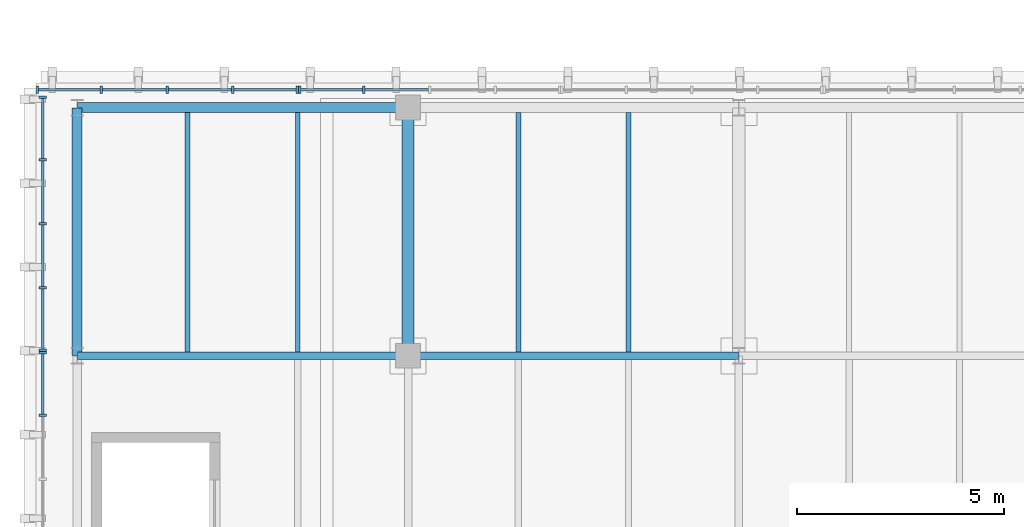
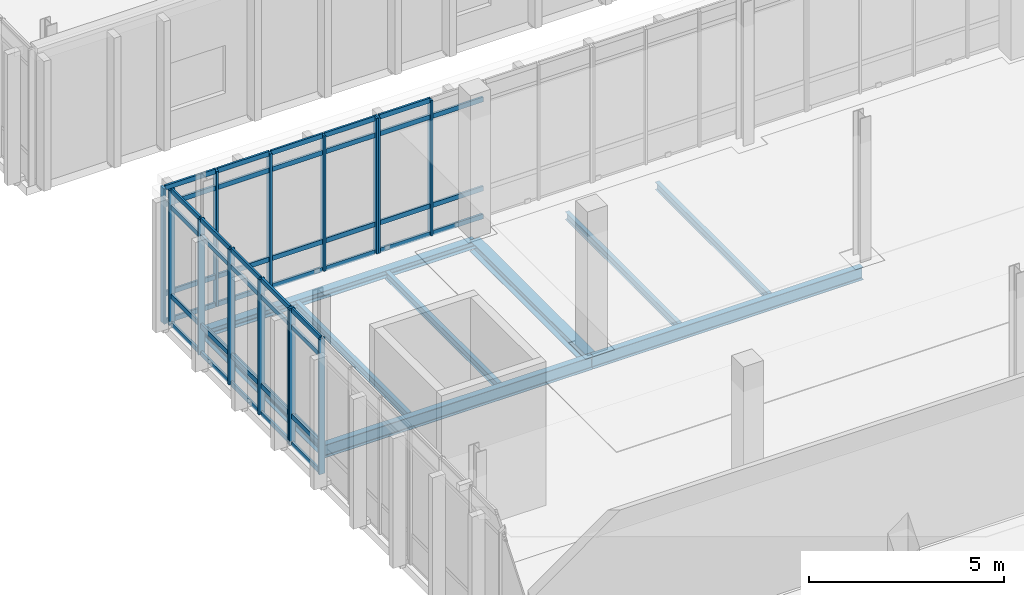
# One storey, part 15 of 62: 57 members, 9 beams, 4 elements without a shape of their own.
"""IFC4 building model written with IfcOpenShell, lengths in metres."""

from ifc_helpers import new_model, si_unit, direction, frame, origin, origin_2d, place, context, subcontext, project, spatial, rectangle, i_section, extrude, material, material_profile, profile_set, type_object, element, aggregate, save


model = new_model("IFC4")

# Units and contexts
model_context = context("Model", 3, precision=1e-05, world=origin(), true_north=direction((0.0, 1.0)))
body_context = subcontext(model_context, "Body", "Model", "MODEL_VIEW")
ifc_project = project(units=[si_unit("LENGTHUNIT", "METRE"), si_unit("AREAUNIT", "SQUARE_METRE"), si_unit("VOLUMEUNIT", "CUBIC_METRE"), si_unit("PLANEANGLEUNIT", "RADIAN"), si_unit("MASSUNIT", "GRAM", prefix="KILO")], contexts=[model_context])

# Site, building, storey
site_placement = place(None, origin())
site = spatial("IfcSite", under=ifc_project, at=site_placement, CompositionType="ELEMENT")
building_placement = place(site_placement, origin())
building = spatial("IfcBuilding", under=site, at=building_placement, Name="Cymarion Research Institute", CompositionType="ELEMENT")
storey_placement = place(building_placement, frame((0.0, 0.0, 18.300048828125)))
storey = spatial("IfcBuildingStorey", under=building, at=storey_placement, Name="L04", CompositionType="ELEMENT", Elevation=18.300048828125)

# Curtain wall, members
ifc_material_1 = material(Name="Anodised aluminium unitised curtain wall with Low-E glazing", Category="aluminium")
curtain_wall_type_1 = type_object("IfcCurtainWallType", Name="UNITISED CURTAIN WALL CW42 6350X4240", PredefinedType="NOTDEFINED", material=ifc_material_1)
curtain_wall_1_placement = place(storey_placement, origin())
curtain_wall_1 = element("IfcCurtainWall", 1, at=curtain_wall_1_placement, inside=storey, type_object=curtain_wall_type_1, Name="L04 V4 unitised curtain wall CW42 #186", PredefinedType="NOTDEFINED")
ifc_material_2 = material(Name="Anodised aluminium framing", Category="aluminium")
ifc_material_profile_1 = material_profile(ifc_material_2, rectangle(XDim=0.06005859375, YDim=0.179931640625, at=origin_2d()), Name="ALU MULLION 60x180")
ifc_profile_set_1 = profile_set([ifc_material_profile_1], Name="Anodised aluminium framing")
member_type_1 = type_object("IfcMemberType", Name="CURTAIN WALL MULLION ML01 60X180", PredefinedType="MULLION", material=ifc_profile_set_1)
member_1_placement = place(storey_placement, frame((13.53271484375, 77.929931640625, 0.0), z_axis=(0.0, 0.0, 1.0), x_axis=(-1.0, 0.0, 0.0)))
member_1 = element("IfcMember", 2, at=member_1_placement, type_object=member_type_1, Name="CW42 mullion 4", PredefinedType="MULLION", context=body_context, shape_type="SweptSolid", body=[
    extrude(rectangle(XDim=0.06005859375, YDim=0.179931640625, at=origin_2d()), origin(), (0.0, 0.0, 1.0), 4.239990234375),
])
member_2_placement = place(storey_placement, frame((11.976318359375, 77.929931640625, 0.0), z_axis=(0.0, 0.0, 1.0), x_axis=(-1.0, 0.0, 0.0)))
member_2 = element("IfcMember", 3, at=member_2_placement, type_object=member_type_1, Name="CW42 mullion 5", PredefinedType="MULLION", context=body_context, shape_type="SweptSolid", body=[
    extrude(rectangle(XDim=0.06005859375, YDim=0.179931640625, at=origin_2d()), origin(), (0.0, 0.0, 1.0), 4.239990234375),
])

curtain_wall_2_placement = place(storey_placement, origin())
curtain_wall_2 = element("IfcCurtainWall", 4, at=curtain_wall_2_placement, inside=storey, type_object=curtain_wall_type_1, Name="L04 V4 unitised curtain wall CW42 #187", PredefinedType="NOTDEFINED")
member_3_placement = place(storey_placement, frame((11.916259765625, 77.929931640625, 0.0), z_axis=(0.0, 0.0, 1.0), x_axis=(-1.0, 0.0, 0.0)))
member_3 = element("IfcMember", 5, at=member_3_placement, type_object=member_type_1, Name="CW42 mullion 1", PredefinedType="MULLION", context=body_context, shape_type="SweptSolid", body=[
    extrude(rectangle(XDim=0.06005859375, YDim=0.179931640625, at=origin_2d()), origin(), (0.0, 0.0, 1.0), 4.239990234375),
])
member_4_placement = place(storey_placement, frame((10.359619140625, 77.929931640625, 0.0), z_axis=(0.0, 0.0, 1.0), x_axis=(-1.0, 0.0, 0.0)))
member_4 = element("IfcMember", 6, at=member_4_placement, type_object=member_type_1, Name="CW42 mullion 2", PredefinedType="MULLION", context=body_context, shape_type="SweptSolid", body=[
    extrude(rectangle(XDim=0.06005859375, YDim=0.179931640625, at=origin_2d()), origin(), (0.0, 0.0, 1.0), 4.239990234375),
])
member_5_placement = place(storey_placement, frame((8.773193359375, 77.929931640625, 0.0), z_axis=(0.0, 0.0, 1.0), x_axis=(-1.0, 0.0, 0.0)))
member_5 = element("IfcMember", 7, at=member_5_placement, type_object=member_type_1, Name="CW42 mullion 3", PredefinedType="MULLION", context=body_context, shape_type="SweptSolid", body=[
    extrude(rectangle(XDim=0.06005859375, YDim=0.179931640625, at=origin_2d()), origin(), (0.0, 0.0, 1.0), 4.239990234375),
])
member_6_placement = place(storey_placement, frame((7.1865234375, 77.929931640625, 0.0), z_axis=(0.0, 0.0, 1.0), x_axis=(-1.0, 0.0, 0.0)))
member_6 = element("IfcMember", 8, at=member_6_placement, type_object=member_type_1, Name="CW42 mullion 4", PredefinedType="MULLION", context=body_context, shape_type="SweptSolid", body=[
    extrude(rectangle(XDim=0.06005859375, YDim=0.179931640625, at=origin_2d()), origin(), (0.0, 0.0, 1.0), 4.239990234375),
])
member_7_placement = place(storey_placement, frame((5.6298828125, 77.929931640625, 0.0), z_axis=(0.0, 0.0, 1.0), x_axis=(-1.0, 0.0, 0.0)))
member_7 = element("IfcMember", 9, at=member_7_placement, type_object=member_type_1, Name="CW42 mullion 5", PredefinedType="MULLION", context=body_context, shape_type="SweptSolid", body=[
    extrude(rectangle(XDim=0.06005859375, YDim=0.179931640625, at=origin_2d()), origin(), (0.0, 0.0, 1.0), 4.239990234375),
])

curtain_wall_type_2 = type_object("IfcCurtainWallType", Name="UNITISED CURTAIN WALL CW43 6180X4240", PredefinedType="NOTDEFINED", material=ifc_material_1)
curtain_wall_3_placement = place(storey_placement, origin())
curtain_wall_3 = element("IfcCurtainWall", 10, at=curtain_wall_3_placement, inside=storey, type_object=curtain_wall_type_2, Name="L04 V4 unitised curtain wall CW43 #188", PredefinedType="NOTDEFINED")
member_8_placement = place(storey_placement, frame((5.77001953125, 77.748046875, 0.0), z_axis=(0.0, 0.0, 1.0), x_axis=(0.0, -1.0, 0.0)))
member_8 = element("IfcMember", 11, at=member_8_placement, type_object=member_type_1, Name="CW43 mullion 1", PredefinedType="MULLION", context=body_context, shape_type="SweptSolid", body=[
    extrude(rectangle(XDim=0.06005859375, YDim=0.179931640625, at=origin_2d()), origin(), (0.0, 0.0, 1.0), 4.239990234375),
])
member_9_placement = place(storey_placement, frame((5.77001953125, 76.234130859375, 0.0), z_axis=(0.0, 0.0, 1.0), x_axis=(0.0, -1.0, 0.0)))
member_9 = element("IfcMember", 12, at=member_9_placement, type_object=member_type_1, Name="CW43 mullion 2", PredefinedType="MULLION", context=body_context, shape_type="SweptSolid", body=[
    extrude(rectangle(XDim=0.06005859375, YDim=0.179931640625, at=origin_2d()), origin(), (0.0, 0.0, 1.0), 4.239990234375),
])
member_10_placement = place(storey_placement, frame((5.77001953125, 74.690185546875, 0.0), z_axis=(0.0, 0.0, 1.0), x_axis=(0.0, -1.0, 0.0)))
member_10 = element("IfcMember", 13, at=member_10_placement, type_object=member_type_1, Name="CW43 mullion 3", PredefinedType="MULLION", context=body_context, shape_type="SweptSolid", body=[
    extrude(rectangle(XDim=0.06005859375, YDim=0.179931640625, at=origin_2d()), origin(), (0.0, 0.0, 1.0), 4.239990234375),
])
member_11_placement = place(storey_placement, frame((5.77001953125, 73.146240234375, 0.0), z_axis=(0.0, 0.0, 1.0), x_axis=(0.0, -1.0, 0.0)))
member_11 = element("IfcMember", 14, at=member_11_placement, type_object=member_type_1, Name="CW43 mullion 4", PredefinedType="MULLION", context=body_context, shape_type="SweptSolid", body=[
    extrude(rectangle(XDim=0.06005859375, YDim=0.179931640625, at=origin_2d()), origin(), (0.0, 0.0, 1.0), 4.239990234375),
])
member_12_placement = place(storey_placement, frame((5.77001953125, 71.63232421875, 0.0), z_axis=(0.0, 0.0, 1.0), x_axis=(0.0, -1.0, 0.0)))
member_12 = element("IfcMember", 15, at=member_12_placement, type_object=member_type_1, Name="CW43 mullion 5", PredefinedType="MULLION", context=body_context, shape_type="SweptSolid", body=[
    extrude(rectangle(XDim=0.06005859375, YDim=0.179931640625, at=origin_2d()), origin(), (0.0, 0.0, 1.0), 4.239990234375),
])

curtain_wall_4_placement = place(storey_placement, origin())
curtain_wall_4 = element("IfcCurtainWall", 16, at=curtain_wall_4_placement, inside=storey, type_object=curtain_wall_type_2, Name="L04 V4 unitised curtain wall CW43 #189", PredefinedType="NOTDEFINED")
member_13_placement = place(storey_placement, frame((5.77001953125, 71.572509765625, 0.0), z_axis=(0.0, 0.0, 1.0), x_axis=(0.0, -1.0, 0.0)))
member_13 = element("IfcMember", 17, at=member_13_placement, type_object=member_type_1, Name="CW43 mullion 1", PredefinedType="MULLION", context=body_context, shape_type="SweptSolid", body=[
    extrude(rectangle(XDim=0.06005859375, YDim=0.179931640625, at=origin_2d()), origin(), (0.0, 0.0, 1.0), 4.239990234375),
])
member_14_placement = place(storey_placement, frame((5.77001953125, 70.05859375, 0.0), z_axis=(0.0, 0.0, 1.0), x_axis=(0.0, -1.0, 0.0)))
member_14 = element("IfcMember", 18, at=member_14_placement, type_object=member_type_1, Name="CW43 mullion 2", PredefinedType="MULLION", context=body_context, shape_type="SweptSolid", body=[
    extrude(rectangle(XDim=0.06005859375, YDim=0.179931640625, at=origin_2d()), origin(), (0.0, 0.0, 1.0), 4.239990234375),
])

# Member
ifc_material_profile_2 = material_profile(ifc_material_2, rectangle(XDim=0.06005859375, YDim=0.14990234375, at=origin_2d()), Name="ALU TRANSOM 60x150")
ifc_profile_set_2 = profile_set([ifc_material_profile_2], Name="Anodised aluminium framing")
member_type_2 = type_object("IfcMemberType", Name="CURTAIN WALL TRANSOM TR01 60X150", PredefinedType="USERDEFINED", material=ifc_profile_set_2)
member_15_placement = place(storey_placement, frame((15.08935546875, 77.929931640625, 0.030029296875), z_axis=(-1.0, 0.0, 0.0), x_axis=(0.0, -1.0, 0.0)))
member_15 = element("IfcMember", 19, at=member_15_placement, type_object=member_type_2, Name="CW42 transom 3.1", ObjectType="TRANSOM", PredefinedType="USERDEFINED", context=body_context, shape_type="SweptSolid", body=[
    extrude(rectangle(XDim=0.06005859375, YDim=0.14990234375, at=origin_2d()), origin(), (0.0, 0.0, 1.0), 1.526611328125),
])

member_16_placement = place(storey_placement, frame((15.08935546875, 77.929931640625, 0.89990234375), z_axis=(-1.0, 0.0, 0.0), x_axis=(0.0, -1.0, 0.0)))
member_16 = element("IfcMember", 20, at=member_16_placement, type_object=member_type_2, Name="CW42 transom 3.2", ObjectType="TRANSOM", PredefinedType="USERDEFINED", context=body_context, shape_type="SweptSolid", body=[
    extrude(rectangle(XDim=0.06005859375, YDim=0.14990234375, at=origin_2d()), origin(), (0.0, 0.0, 1.0), 1.526611328125),
])

member_17_placement = place(storey_placement, frame((15.08935546875, 77.929931640625, 3.68994140625), z_axis=(-1.0, 0.0, 0.0), x_axis=(0.0, -1.0, 0.0)))
member_17 = element("IfcMember", 21, at=member_17_placement, type_object=member_type_2, Name="CW42 transom 3.3", ObjectType="TRANSOM", PredefinedType="USERDEFINED", context=body_context, shape_type="SweptSolid", body=[
    extrude(rectangle(XDim=0.06005859375, YDim=0.14990234375, at=origin_2d()), origin(), (0.0, 0.0, 1.0), 1.526611328125),
])

member_18_placement = place(storey_placement, frame((13.502685546875, 77.929931640625, 0.030029296875), z_axis=(-1.0, 0.0, 0.0), x_axis=(0.0, -1.0, 0.0)))
member_18 = element("IfcMember", 22, at=member_18_placement, type_object=member_type_2, Name="CW42 transom 4.1", ObjectType="TRANSOM", PredefinedType="USERDEFINED", context=body_context, shape_type="SweptSolid", body=[
    extrude(rectangle(XDim=0.06005859375, YDim=0.14990234375, at=origin_2d()), origin(), (0.0, 0.0, 1.0), 1.49658203125),
])

member_19_placement = place(storey_placement, frame((13.502685546875, 77.929931640625, 0.89990234375), z_axis=(-1.0, 0.0, 0.0), x_axis=(0.0, -1.0, 0.0)))
member_19 = element("IfcMember", 23, at=member_19_placement, type_object=member_type_2, Name="CW42 transom 4.2", ObjectType="TRANSOM", PredefinedType="USERDEFINED", context=body_context, shape_type="SweptSolid", body=[
    extrude(rectangle(XDim=0.06005859375, YDim=0.14990234375, at=origin_2d()), origin(), (0.0, 0.0, 1.0), 1.49658203125),
])

member_20_placement = place(storey_placement, frame((13.502685546875, 77.929931640625, 3.68994140625), z_axis=(-1.0, 0.0, 0.0), x_axis=(0.0, -1.0, 0.0)))
member_20 = element("IfcMember", 24, at=member_20_placement, type_object=member_type_2, Name="CW42 transom 4.3", ObjectType="TRANSOM", PredefinedType="USERDEFINED", context=body_context, shape_type="SweptSolid", body=[
    extrude(rectangle(XDim=0.06005859375, YDim=0.14990234375, at=origin_2d()), origin(), (0.0, 0.0, 1.0), 1.49658203125),
])

member_21_placement = place(storey_placement, frame((13.502685546875, 77.929931640625, 4.2099609375), z_axis=(-1.0, 0.0, 0.0), x_axis=(0.0, -1.0, 0.0)))
member_21 = element("IfcMember", 25, at=member_21_placement, type_object=member_type_2, Name="CW42 transom 4.4", ObjectType="TRANSOM", PredefinedType="USERDEFINED", context=body_context, shape_type="SweptSolid", body=[
    extrude(rectangle(XDim=0.06005859375, YDim=0.14990234375, at=origin_2d()), origin(), (0.0, 0.0, 1.0), 1.49658203125),
])

aggregate(curtain_wall_1, [member_1, member_2, member_15, member_16, member_17, member_18, member_19, member_20, member_21])

member_22_placement = place(storey_placement, frame((11.88623046875, 77.929931640625, 0.030029296875), z_axis=(-1.0, 0.0, 0.0), x_axis=(0.0, -1.0, 0.0)))
member_22 = element("IfcMember", 26, at=member_22_placement, type_object=member_type_2, Name="CW42 transom 1.1", ObjectType="TRANSOM", PredefinedType="USERDEFINED", context=body_context, shape_type="SweptSolid", body=[
    extrude(rectangle(XDim=0.06005859375, YDim=0.14990234375, at=origin_2d()), origin(), (0.0, 0.0, 1.0), 1.49658203125),
])

member_23_placement = place(storey_placement, frame((11.88623046875, 77.929931640625, 0.89990234375), z_axis=(-1.0, 0.0, 0.0), x_axis=(0.0, -1.0, 0.0)))
member_23 = element("IfcMember", 27, at=member_23_placement, type_object=member_type_2, Name="CW42 transom 1.2", ObjectType="TRANSOM", PredefinedType="USERDEFINED", context=body_context, shape_type="SweptSolid", body=[
    extrude(rectangle(XDim=0.06005859375, YDim=0.14990234375, at=origin_2d()), origin(), (0.0, 0.0, 1.0), 1.49658203125),
])

member_24_placement = place(storey_placement, frame((11.88623046875, 77.929931640625, 3.68994140625), z_axis=(-1.0, 0.0, 0.0), x_axis=(0.0, -1.0, 0.0)))
member_24 = element("IfcMember", 28, at=member_24_placement, type_object=member_type_2, Name="CW42 transom 1.3", ObjectType="TRANSOM", PredefinedType="USERDEFINED", context=body_context, shape_type="SweptSolid", body=[
    extrude(rectangle(XDim=0.06005859375, YDim=0.14990234375, at=origin_2d()), origin(), (0.0, 0.0, 1.0), 1.49658203125),
])

member_25_placement = place(storey_placement, frame((11.88623046875, 77.929931640625, 4.2099609375), z_axis=(-1.0, 0.0, 0.0), x_axis=(0.0, -1.0, 0.0)))
member_25 = element("IfcMember", 29, at=member_25_placement, type_object=member_type_2, Name="CW42 transom 1.4", ObjectType="TRANSOM", PredefinedType="USERDEFINED", context=body_context, shape_type="SweptSolid", body=[
    extrude(rectangle(XDim=0.06005859375, YDim=0.14990234375, at=origin_2d()), origin(), (0.0, 0.0, 1.0), 1.49658203125),
])

member_26_placement = place(storey_placement, frame((10.32958984375, 77.929931640625, 0.030029296875), z_axis=(-1.0, 0.0, 0.0), x_axis=(0.0, -1.0, 0.0)))
member_26 = element("IfcMember", 30, at=member_26_placement, type_object=member_type_2, Name="CW42 transom 2.1", ObjectType="TRANSOM", PredefinedType="USERDEFINED", context=body_context, shape_type="SweptSolid", body=[
    extrude(rectangle(XDim=0.06005859375, YDim=0.14990234375, at=origin_2d()), origin(), (0.0, 0.0, 1.0), 1.526611328125),
])

member_27_placement = place(storey_placement, frame((10.32958984375, 77.929931640625, 0.89990234375), z_axis=(-1.0, 0.0, 0.0), x_axis=(0.0, -1.0, 0.0)))
member_27 = element("IfcMember", 31, at=member_27_placement, type_object=member_type_2, Name="CW42 transom 2.2", ObjectType="TRANSOM", PredefinedType="USERDEFINED", context=body_context, shape_type="SweptSolid", body=[
    extrude(rectangle(XDim=0.06005859375, YDim=0.14990234375, at=origin_2d()), origin(), (0.0, 0.0, 1.0), 1.526611328125),
])

member_28_placement = place(storey_placement, frame((10.32958984375, 77.929931640625, 3.68994140625), z_axis=(-1.0, 0.0, 0.0), x_axis=(0.0, -1.0, 0.0)))
member_28 = element("IfcMember", 32, at=member_28_placement, type_object=member_type_2, Name="CW42 transom 2.3", ObjectType="TRANSOM", PredefinedType="USERDEFINED", context=body_context, shape_type="SweptSolid", body=[
    extrude(rectangle(XDim=0.06005859375, YDim=0.14990234375, at=origin_2d()), origin(), (0.0, 0.0, 1.0), 1.526611328125),
])

member_29_placement = place(storey_placement, frame((10.32958984375, 77.929931640625, 4.2099609375), z_axis=(-1.0, 0.0, 0.0), x_axis=(0.0, -1.0, 0.0)))
member_29 = element("IfcMember", 33, at=member_29_placement, type_object=member_type_2, Name="CW42 transom 2.4", ObjectType="TRANSOM", PredefinedType="USERDEFINED", context=body_context, shape_type="SweptSolid", body=[
    extrude(rectangle(XDim=0.06005859375, YDim=0.14990234375, at=origin_2d()), origin(), (0.0, 0.0, 1.0), 1.526611328125),
])

member_30_placement = place(storey_placement, frame((8.7431640625, 77.929931640625, 0.030029296875), z_axis=(-1.0, 0.0, 0.0), x_axis=(0.0, -1.0, 0.0)))
member_30 = element("IfcMember", 34, at=member_30_placement, type_object=member_type_2, Name="CW42 transom 3.1", ObjectType="TRANSOM", PredefinedType="USERDEFINED", context=body_context, shape_type="SweptSolid", body=[
    extrude(rectangle(XDim=0.06005859375, YDim=0.14990234375, at=origin_2d()), origin(), (0.0, 0.0, 1.0), 1.526611328125),
])

member_31_placement = place(storey_placement, frame((8.7431640625, 77.929931640625, 0.89990234375), z_axis=(-1.0, 0.0, 0.0), x_axis=(0.0, -1.0, 0.0)))
member_31 = element("IfcMember", 35, at=member_31_placement, type_object=member_type_2, Name="CW42 transom 3.2", ObjectType="TRANSOM", PredefinedType="USERDEFINED", context=body_context, shape_type="SweptSolid", body=[
    extrude(rectangle(XDim=0.06005859375, YDim=0.14990234375, at=origin_2d()), origin(), (0.0, 0.0, 1.0), 1.526611328125),
])

member_32_placement = place(storey_placement, frame((8.7431640625, 77.929931640625, 3.68994140625), z_axis=(-1.0, 0.0, 0.0), x_axis=(0.0, -1.0, 0.0)))
member_32 = element("IfcMember", 36, at=member_32_placement, type_object=member_type_2, Name="CW42 transom 3.3", ObjectType="TRANSOM", PredefinedType="USERDEFINED", context=body_context, shape_type="SweptSolid", body=[
    extrude(rectangle(XDim=0.06005859375, YDim=0.14990234375, at=origin_2d()), origin(), (0.0, 0.0, 1.0), 1.526611328125),
])

member_33_placement = place(storey_placement, frame((8.7431640625, 77.929931640625, 4.2099609375), z_axis=(-1.0, 0.0, 0.0), x_axis=(0.0, -1.0, 0.0)))
member_33 = element("IfcMember", 37, at=member_33_placement, type_object=member_type_2, Name="CW42 transom 3.4", ObjectType="TRANSOM", PredefinedType="USERDEFINED", context=body_context, shape_type="SweptSolid", body=[
    extrude(rectangle(XDim=0.06005859375, YDim=0.14990234375, at=origin_2d()), origin(), (0.0, 0.0, 1.0), 1.526611328125),
])

member_34_placement = place(storey_placement, frame((7.156494140625, 77.929931640625, 0.030029296875), z_axis=(-1.0, 0.0, 0.0), x_axis=(0.0, -1.0, 0.0)))
member_34 = element("IfcMember", 38, at=member_34_placement, type_object=member_type_2, Name="CW42 transom 4.1", ObjectType="TRANSOM", PredefinedType="USERDEFINED", context=body_context, shape_type="SweptSolid", body=[
    extrude(rectangle(XDim=0.06005859375, YDim=0.14990234375, at=origin_2d()), origin(), (0.0, 0.0, 1.0), 1.49658203125),
])

member_35_placement = place(storey_placement, frame((7.156494140625, 77.929931640625, 0.89990234375), z_axis=(-1.0, 0.0, 0.0), x_axis=(0.0, -1.0, 0.0)))
member_35 = element("IfcMember", 39, at=member_35_placement, type_object=member_type_2, Name="CW42 transom 4.2", ObjectType="TRANSOM", PredefinedType="USERDEFINED", context=body_context, shape_type="SweptSolid", body=[
    extrude(rectangle(XDim=0.06005859375, YDim=0.14990234375, at=origin_2d()), origin(), (0.0, 0.0, 1.0), 1.49658203125),
])

member_36_placement = place(storey_placement, frame((7.156494140625, 77.929931640625, 3.68994140625), z_axis=(-1.0, 0.0, 0.0), x_axis=(0.0, -1.0, 0.0)))
member_36 = element("IfcMember", 40, at=member_36_placement, type_object=member_type_2, Name="CW42 transom 4.3", ObjectType="TRANSOM", PredefinedType="USERDEFINED", context=body_context, shape_type="SweptSolid", body=[
    extrude(rectangle(XDim=0.06005859375, YDim=0.14990234375, at=origin_2d()), origin(), (0.0, 0.0, 1.0), 1.49658203125),
])

member_37_placement = place(storey_placement, frame((7.156494140625, 77.929931640625, 4.2099609375), z_axis=(-1.0, 0.0, 0.0), x_axis=(0.0, -1.0, 0.0)))
member_37 = element("IfcMember", 41, at=member_37_placement, type_object=member_type_2, Name="CW42 transom 4.4", ObjectType="TRANSOM", PredefinedType="USERDEFINED", context=body_context, shape_type="SweptSolid", body=[
    extrude(rectangle(XDim=0.06005859375, YDim=0.14990234375, at=origin_2d()), origin(), (0.0, 0.0, 1.0), 1.49658203125),
])

aggregate(curtain_wall_2, [member_3, member_4, member_5, member_6, member_7, member_22, member_23, member_24, member_25, member_26, member_27, member_28, member_29, member_30, member_31, member_32, member_33, member_34, member_35, member_36, member_37])

member_38_placement = place(storey_placement, frame((5.77001953125, 77.718017578125, 0.030029296875), z_axis=(0.0, -1.0, 0.0), x_axis=(1.0, 0.0, 0.0)))
member_38 = element("IfcMember", 42, at=member_38_placement, type_object=member_type_2, Name="CW43 transom 1.1", ObjectType="TRANSOM", PredefinedType="USERDEFINED", context=body_context, shape_type="SweptSolid", body=[
    extrude(rectangle(XDim=0.06005859375, YDim=0.14990234375, at=origin_2d()), origin(), (0.0, 0.0, 1.0), 1.453857421875),
])

member_39_placement = place(storey_placement, frame((5.77001953125, 77.718017578125, 0.89990234375), z_axis=(0.0, -1.0, 0.0), x_axis=(1.0, 0.0, 0.0)))
member_39 = element("IfcMember", 43, at=member_39_placement, type_object=member_type_2, Name="CW43 transom 1.2", ObjectType="TRANSOM", PredefinedType="USERDEFINED", context=body_context, shape_type="SweptSolid", body=[
    extrude(rectangle(XDim=0.06005859375, YDim=0.14990234375, at=origin_2d()), origin(), (0.0, 0.0, 1.0), 1.453857421875),
])

member_40_placement = place(storey_placement, frame((5.77001953125, 77.718017578125, 3.68994140625), z_axis=(0.0, -1.0, 0.0), x_axis=(1.0, 0.0, 0.0)))
member_40 = element("IfcMember", 44, at=member_40_placement, type_object=member_type_2, Name="CW43 transom 1.3", ObjectType="TRANSOM", PredefinedType="USERDEFINED", context=body_context, shape_type="SweptSolid", body=[
    extrude(rectangle(XDim=0.06005859375, YDim=0.14990234375, at=origin_2d()), origin(), (0.0, 0.0, 1.0), 1.453857421875),
])

member_41_placement = place(storey_placement, frame((5.77001953125, 77.718017578125, 4.2099609375), z_axis=(0.0, -1.0, 0.0), x_axis=(1.0, 0.0, 0.0)))
member_41 = element("IfcMember", 45, at=member_41_placement, type_object=member_type_2, Name="CW43 transom 1.4", ObjectType="TRANSOM", PredefinedType="USERDEFINED", context=body_context, shape_type="SweptSolid", body=[
    extrude(rectangle(XDim=0.06005859375, YDim=0.14990234375, at=origin_2d()), origin(), (0.0, 0.0, 1.0), 1.453857421875),
])

member_42_placement = place(storey_placement, frame((5.77001953125, 76.2041015625, 0.030029296875), z_axis=(0.0, -1.0, 0.0), x_axis=(1.0, 0.0, 0.0)))
member_42 = element("IfcMember", 46, at=member_42_placement, type_object=member_type_2, Name="CW43 transom 2.1", ObjectType="TRANSOM", PredefinedType="USERDEFINED", context=body_context, shape_type="SweptSolid", body=[
    extrude(rectangle(XDim=0.06005859375, YDim=0.14990234375, at=origin_2d()), origin(), (0.0, 0.0, 1.0), 1.48388671875),
])

member_43_placement = place(storey_placement, frame((5.77001953125, 76.2041015625, 0.89990234375), z_axis=(0.0, -1.0, 0.0), x_axis=(1.0, 0.0, 0.0)))
member_43 = element("IfcMember", 47, at=member_43_placement, type_object=member_type_2, Name="CW43 transom 2.2", ObjectType="TRANSOM", PredefinedType="USERDEFINED", context=body_context, shape_type="SweptSolid", body=[
    extrude(rectangle(XDim=0.06005859375, YDim=0.14990234375, at=origin_2d()), origin(), (0.0, 0.0, 1.0), 1.48388671875),
])

member_44_placement = place(storey_placement, frame((5.77001953125, 76.2041015625, 3.68994140625), z_axis=(0.0, -1.0, 0.0), x_axis=(1.0, 0.0, 0.0)))
member_44 = element("IfcMember", 48, at=member_44_placement, type_object=member_type_2, Name="CW43 transom 2.3", ObjectType="TRANSOM", PredefinedType="USERDEFINED", context=body_context, shape_type="SweptSolid", body=[
    extrude(rectangle(XDim=0.06005859375, YDim=0.14990234375, at=origin_2d()), origin(), (0.0, 0.0, 1.0), 1.48388671875),
])

member_45_placement = place(storey_placement, frame((5.77001953125, 76.2041015625, 4.2099609375), z_axis=(0.0, -1.0, 0.0), x_axis=(1.0, 0.0, 0.0)))
member_45 = element("IfcMember", 49, at=member_45_placement, type_object=member_type_2, Name="CW43 transom 2.4", ObjectType="TRANSOM", PredefinedType="USERDEFINED", context=body_context, shape_type="SweptSolid", body=[
    extrude(rectangle(XDim=0.06005859375, YDim=0.14990234375, at=origin_2d()), origin(), (0.0, 0.0, 1.0), 1.48388671875),
])

member_46_placement = place(storey_placement, frame((5.77001953125, 74.66015625, 0.030029296875), z_axis=(0.0, -1.0, 0.0), x_axis=(1.0, 0.0, 0.0)))
member_46 = element("IfcMember", 50, at=member_46_placement, type_object=member_type_2, Name="CW43 transom 3.1", ObjectType="TRANSOM", PredefinedType="USERDEFINED", context=body_context, shape_type="SweptSolid", body=[
    extrude(rectangle(XDim=0.06005859375, YDim=0.14990234375, at=origin_2d()), origin(), (0.0, 0.0, 1.0), 1.48388671875),
])

member_47_placement = place(storey_placement, frame((5.77001953125, 74.66015625, 0.89990234375), z_axis=(0.0, -1.0, 0.0), x_axis=(1.0, 0.0, 0.0)))
member_47 = element("IfcMember", 51, at=member_47_placement, type_object=member_type_2, Name="CW43 transom 3.2", ObjectType="TRANSOM", PredefinedType="USERDEFINED", context=body_context, shape_type="SweptSolid", body=[
    extrude(rectangle(XDim=0.06005859375, YDim=0.14990234375, at=origin_2d()), origin(), (0.0, 0.0, 1.0), 1.48388671875),
])

member_48_placement = place(storey_placement, frame((5.77001953125, 74.66015625, 3.68994140625), z_axis=(0.0, -1.0, 0.0), x_axis=(1.0, 0.0, 0.0)))
member_48 = element("IfcMember", 52, at=member_48_placement, type_object=member_type_2, Name="CW43 transom 3.3", ObjectType="TRANSOM", PredefinedType="USERDEFINED", context=body_context, shape_type="SweptSolid", body=[
    extrude(rectangle(XDim=0.06005859375, YDim=0.14990234375, at=origin_2d()), origin(), (0.0, 0.0, 1.0), 1.48388671875),
])

member_49_placement = place(storey_placement, frame((5.77001953125, 74.66015625, 4.2099609375), z_axis=(0.0, -1.0, 0.0), x_axis=(1.0, 0.0, 0.0)))
member_49 = element("IfcMember", 53, at=member_49_placement, type_object=member_type_2, Name="CW43 transom 3.4", ObjectType="TRANSOM", PredefinedType="USERDEFINED", context=body_context, shape_type="SweptSolid", body=[
    extrude(rectangle(XDim=0.06005859375, YDim=0.14990234375, at=origin_2d()), origin(), (0.0, 0.0, 1.0), 1.48388671875),
])

member_50_placement = place(storey_placement, frame((5.77001953125, 73.1162109375, 0.030029296875), z_axis=(0.0, -1.0, 0.0), x_axis=(1.0, 0.0, 0.0)))
member_50 = element("IfcMember", 54, at=member_50_placement, type_object=member_type_2, Name="CW43 transom 4.1", ObjectType="TRANSOM", PredefinedType="USERDEFINED", context=body_context, shape_type="SweptSolid", body=[
    extrude(rectangle(XDim=0.06005859375, YDim=0.14990234375, at=origin_2d()), origin(), (0.0, 0.0, 1.0), 1.453857421875),
])

member_51_placement = place(storey_placement, frame((5.77001953125, 73.1162109375, 0.89990234375), z_axis=(0.0, -1.0, 0.0), x_axis=(1.0, 0.0, 0.0)))
member_51 = element("IfcMember", 55, at=member_51_placement, type_object=member_type_2, Name="CW43 transom 4.2", ObjectType="TRANSOM", PredefinedType="USERDEFINED", context=body_context, shape_type="SweptSolid", body=[
    extrude(rectangle(XDim=0.06005859375, YDim=0.14990234375, at=origin_2d()), origin(), (0.0, 0.0, 1.0), 1.453857421875),
])

member_52_placement = place(storey_placement, frame((5.77001953125, 73.1162109375, 3.68994140625), z_axis=(0.0, -1.0, 0.0), x_axis=(1.0, 0.0, 0.0)))
member_52 = element("IfcMember", 56, at=member_52_placement, type_object=member_type_2, Name="CW43 transom 4.3", ObjectType="TRANSOM", PredefinedType="USERDEFINED", context=body_context, shape_type="SweptSolid", body=[
    extrude(rectangle(XDim=0.06005859375, YDim=0.14990234375, at=origin_2d()), origin(), (0.0, 0.0, 1.0), 1.453857421875),
])

member_53_placement = place(storey_placement, frame((5.77001953125, 73.1162109375, 4.2099609375), z_axis=(0.0, -1.0, 0.0), x_axis=(1.0, 0.0, 0.0)))
member_53 = element("IfcMember", 57, at=member_53_placement, type_object=member_type_2, Name="CW43 transom 4.4", ObjectType="TRANSOM", PredefinedType="USERDEFINED", context=body_context, shape_type="SweptSolid", body=[
    extrude(rectangle(XDim=0.06005859375, YDim=0.14990234375, at=origin_2d()), origin(), (0.0, 0.0, 1.0), 1.453857421875),
])

aggregate(curtain_wall_3, [member_8, member_9, member_10, member_11, member_12, member_38, member_39, member_40, member_41, member_42, member_43, member_44, member_45, member_46, member_47, member_48, member_49, member_50, member_51, member_52, member_53])

member_54_placement = place(storey_placement, frame((5.77001953125, 71.54248046875, 0.030029296875), z_axis=(0.0, -1.0, 0.0), x_axis=(1.0, 0.0, 0.0)))
member_54 = element("IfcMember", 58, at=member_54_placement, type_object=member_type_2, Name="CW43 transom 1.1", ObjectType="TRANSOM", PredefinedType="USERDEFINED", context=body_context, shape_type="SweptSolid", body=[
    extrude(rectangle(XDim=0.06005859375, YDim=0.14990234375, at=origin_2d()), origin(), (0.0, 0.0, 1.0), 1.4541015625),
])

member_55_placement = place(storey_placement, frame((5.77001953125, 71.54248046875, 0.89990234375), z_axis=(0.0, -1.0, 0.0), x_axis=(1.0, 0.0, 0.0)))
member_55 = element("IfcMember", 59, at=member_55_placement, type_object=member_type_2, Name="CW43 transom 1.2", ObjectType="TRANSOM", PredefinedType="USERDEFINED", context=body_context, shape_type="SweptSolid", body=[
    extrude(rectangle(XDim=0.06005859375, YDim=0.14990234375, at=origin_2d()), origin(), (0.0, 0.0, 1.0), 1.4541015625),
])

member_56_placement = place(storey_placement, frame((5.77001953125, 71.54248046875, 3.68994140625), z_axis=(0.0, -1.0, 0.0), x_axis=(1.0, 0.0, 0.0)))
member_56 = element("IfcMember", 60, at=member_56_placement, type_object=member_type_2, Name="CW43 transom 1.3", ObjectType="TRANSOM", PredefinedType="USERDEFINED", context=body_context, shape_type="SweptSolid", body=[
    extrude(rectangle(XDim=0.06005859375, YDim=0.14990234375, at=origin_2d()), origin(), (0.0, 0.0, 1.0), 1.4541015625),
])

member_57_placement = place(storey_placement, frame((5.77001953125, 71.54248046875, 4.2099609375), z_axis=(0.0, -1.0, 0.0), x_axis=(1.0, 0.0, 0.0)))
member_57 = element("IfcMember", 61, at=member_57_placement, type_object=member_type_2, Name="CW43 transom 1.4", ObjectType="TRANSOM", PredefinedType="USERDEFINED", context=body_context, shape_type="SweptSolid", body=[
    extrude(rectangle(XDim=0.06005859375, YDim=0.14990234375, at=origin_2d()), origin(), (0.0, 0.0, 1.0), 1.4541015625),
])

aggregate(curtain_wall_4, [member_13, member_14, member_54, member_55, member_56, member_57])

# Beams
ifc_material_3 = material(Name="Steel S355", Category="steel")
ifc_material_profile_3 = material_profile(ifc_material_3, i_section(OverallWidth=0.179931640625, OverallDepth=0.39990234375, WebThickness=0.008544921875, FlangeThickness=0.013427734375, FilletRadius=0.02099609375, at=origin_2d()), Name="IPE 400")
ifc_profile_set_3 = profile_set([ifc_material_profile_3], Name="Steel S355")
beam_type_1 = type_object("IfcBeamType", Name="PRIMARY GIRDER BM05 IPE 400", PredefinedType="BEAM", material=ifc_profile_set_3)
for number, where, z_axis, x_axis, name in (
    (62, (6.60595703125, 71.5, -0.449951171875), (1.0, 0.0, 0.0), (0.0, 1.0, 0.0), "L04 V4 girder BM05 #1716"),
    (63, (14.60595703125, 71.5, -0.449951171875), (1.0, 0.0, 0.0), (0.0, 1.0, 0.0), "L04 V4 girder BM05 #1717"),
):
    element("IfcBeam", number, at=place(storey_placement, frame(where, z_axis=z_axis, x_axis=x_axis)), inside=storey, type_object=beam_type_1, Name=name, PredefinedType="BEAM", context=body_context, shape_type="SweptSolid", body=[
        extrude(i_section(OverallWidth=0.179931640625, OverallDepth=0.39990234375, WebThickness=0.008544921875, FlangeThickness=0.013427734375, FilletRadius=0.02099609375, at=origin_2d()), origin(), (0.0, 0.0, 1.0), 7.988037109375),
    ])
ifc_material_profile_4 = material_profile(ifc_material_3, i_section(OverallWidth=0.300048828125, OverallDepth=0.35009765625, WebThickness=0.010009765625, FlangeThickness=0.017578125, FilletRadius=0.027099609375, at=origin_2d()), Name="HEA 360")
ifc_profile_set_4 = profile_set([ifc_material_profile_4], Name="Steel S355")
beam_type_2 = type_object("IfcBeamType", Name="PRIMARY GIRDER BM12 HEA 360", PredefinedType="BEAM", material=ifc_profile_set_4)
beam_1_placement = place(storey_placement, frame((14.60009765625, 71.506103515625, -0.425048828125), z_axis=(0.0, 1.0, 0.0), x_axis=(-1.0, 0.0, 0.0)))
element("IfcBeam", 64, at=beam_1_placement, inside=storey, type_object=beam_type_2, Name="L04 V4 girder BM12 #1734", PredefinedType="BEAM", context=body_context, shape_type="SweptSolid", body=[
    extrude(i_section(OverallWidth=0.300048828125, OverallDepth=0.35009765625, WebThickness=0.010009765625, FlangeThickness=0.017578125, FilletRadius=0.027099609375, at=origin_2d()), origin(), (0.0, 0.0, 1.0), 5.98779296875),
])
ifc_material_profile_5 = material_profile(ifc_material_3, i_section(OverallWidth=0.1201171875, OverallDepth=0.239990234375, WebThickness=0.006103515625, FlangeThickness=0.009765625, FilletRadius=0.014892578125, at=origin_2d()), Name="IPE 240")
ifc_profile_set_5 = profile_set([ifc_material_profile_5], Name="Steel S355")
beam_type_3 = type_object("IfcBeamType", Name="SECONDARY JOIST JS04 IPE 240", PredefinedType="JOIST", material=ifc_profile_set_5)
for number, where, z_axis, x_axis, name in (
    (65, (9.2666015625, 71.593994140625, -0.3701171875), (0.0, 1.0, 0.0), (-1.0, 0.0, 0.0), "L04 V4 secondary joist JS04 #1767"),
    (66, (11.933349609375, 71.593994140625, -0.3701171875), (0.0, 1.0, 0.0), (-1.0, 0.0, 0.0), "L04 V4 secondary joist JS04 #1768"),
    (67, (17.2666015625, 71.593994140625, -0.3701171875), (0.0, 1.0, 0.0), (-1.0, 0.0, 0.0), "L04 V4 secondary joist JS04 #1769"),
    (68, (19.933349609375, 71.593994140625, -0.3701171875), (0.0, 1.0, 0.0), (-1.0, 0.0, 0.0), "L04 V4 secondary joist JS04 #1770"),
):
    element("IfcBeam", number, at=place(storey_placement, frame(where, z_axis=z_axis, x_axis=x_axis)), inside=storey, type_object=beam_type_3, Name=name, PredefinedType="JOIST", context=body_context, shape_type="SweptSolid", body=[
        extrude(i_section(OverallWidth=0.1201171875, OverallDepth=0.239990234375, WebThickness=0.006103515625, FlangeThickness=0.009765625, FilletRadius=0.014892578125, at=origin_2d()), origin(), (0.0, 0.0, 1.0), 5.781982421875),
    ])
ifc_material_profile_6 = material_profile(ifc_material_3, i_section(OverallWidth=0.239990234375, OverallDepth=0.22998046875, WebThickness=0.007568359375, FlangeThickness=0.011962890625, FilletRadius=0.02099609375, at=origin_2d()), Name="HEA 240")
ifc_profile_set_6 = profile_set([ifc_material_profile_6], Name="Steel S355")
beam_type_4 = type_object("IfcBeamType", Name="SPANDREL BEAM SPB03 HEA 240", PredefinedType="SPANDREL", material=ifc_profile_set_6)
beam_2_placement = place(storey_placement, frame((6.60595703125, 77.5, -0.364990234375), z_axis=(1.0, 0.0, 0.0), x_axis=(0.0, 1.0, 0.0)))
element("IfcBeam", 69, at=beam_2_placement, inside=storey, type_object=beam_type_4, Name="L04 V4 girder SPB03 #1721", PredefinedType="SPANDREL", context=body_context, shape_type="SweptSolid", body=[
    extrude(i_section(OverallWidth=0.239990234375, OverallDepth=0.22998046875, WebThickness=0.007568359375, FlangeThickness=0.011962890625, FilletRadius=0.02099609375, at=origin_2d()), origin(), (0.0, 0.0, 1.0), 7.988037109375),
])
beam_3_placement = place(storey_placement, frame((6.60009765625, 71.506103515625, -0.364990234375), z_axis=(0.0, 1.0, 0.0), x_axis=(-1.0, 0.0, 0.0)))
element("IfcBeam", 70, at=beam_3_placement, inside=storey, type_object=beam_type_4, Name="L04 V4 girder SPB03 #1730", PredefinedType="SPANDREL", context=body_context, shape_type="SweptSolid", body=[
    extrude(i_section(OverallWidth=0.239990234375, OverallDepth=0.22998046875, WebThickness=0.007568359375, FlangeThickness=0.011962890625, FilletRadius=0.02099609375, at=origin_2d()), origin(), (0.0, 0.0, 1.0), 5.98779296875),
])

save(model, "model.ifc")
